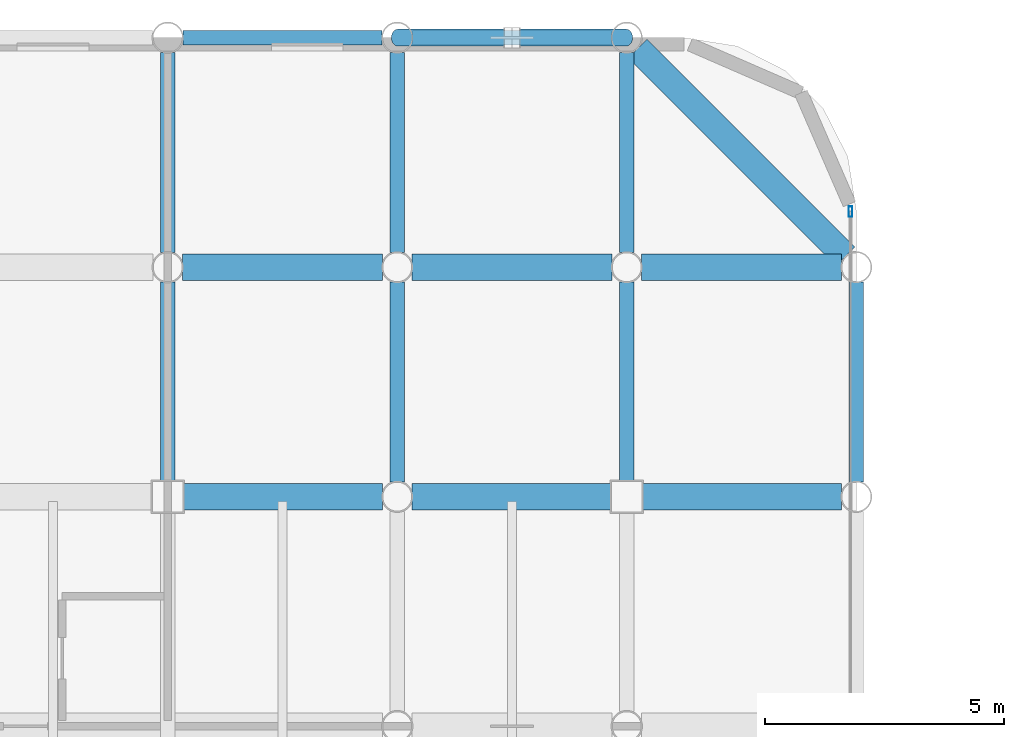
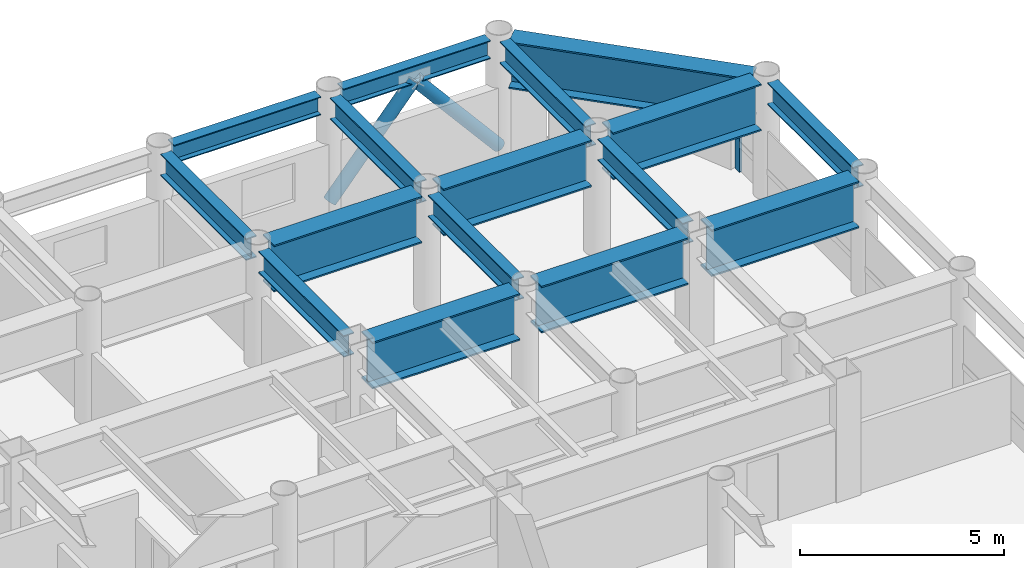
# One storey, part 14 of 23: 16 beams, 3 members, 1 element without a shape of its own.
"""IFC4 building model written with IfcOpenShell, lengths in metres."""

from ifc_helpers import new_model, si_unit, direction, frame, origin, origin_2d, place, context, subcontext, project, spatial, hollow_rectangle, hollow_circle, i_section, extrude, material, layer, layer_set, material_profile, profile_set, type_object, element, aggregate, save


model = new_model("IFC4")

# Units and contexts
model_context = context("Model", 3, precision=1e-05, world=origin(), true_north=direction((0.0, 1.0)))
body_context = subcontext(model_context, "Body", "Model", "MODEL_VIEW")
ifc_project = project(units=[si_unit("LENGTHUNIT", "METRE"), si_unit("AREAUNIT", "SQUARE_METRE"), si_unit("VOLUMEUNIT", "CUBIC_METRE"), si_unit("PLANEANGLEUNIT", "RADIAN"), si_unit("MASSUNIT", "GRAM", prefix="KILO")], contexts=[model_context])

# Site, building, storey
site_placement = place(None, origin())
site = spatial("IfcSite", under=ifc_project, at=site_placement, CompositionType="ELEMENT")
building_placement = place(site_placement, origin())
building = spatial("IfcBuilding", under=site, at=building_placement, Name="Kallvorn Hotel Tower", CompositionType="ELEMENT")
storey_placement = place(building_placement, frame((0.0, 0.0, 124.800048828125)))
storey = spatial("IfcBuildingStorey", under=building, at=storey_placement, Name="L30", CompositionType="ELEMENT", Elevation=124.800048828125)

# Beams
ifc_material_1 = material(Name="Structural steel S355JR", Category="steel")
ifc_material_profile_1 = material_profile(ifc_material_1, i_section(OverallWidth=0.300048828125, OverallDepth=0.550048828125, WebThickness=0.014892578125, FlangeThickness=0.029052734375, at=origin_2d()), Name="HE 550 B")
ifc_profile_set_1 = profile_set([ifc_material_profile_1], Name="Structural steel S355JR")
beam_type_1 = type_object("IfcBeamType", Name="BM_HE550B", PredefinedType="SPANDREL", material=ifc_profile_set_1)
for number, where, z_axis, x_axis, name in (
    (1, (14.719970703125, 24.0, 3.244873046875), (1.0, 0.0, 0.0), (0.0, 1.0, 0.0), "L31 Perimeter Spandrel 172"),
    (2, (19.52001953125, 24.0, 3.244873046875), (1.0, 0.0, 0.0), (0.0, 1.0, 0.0), "L31 Perimeter Spandrel 173"),
):
    element("IfcBeam", number, at=place(storey_placement, frame(where, z_axis=z_axis, x_axis=x_axis)), inside=storey, type_object=beam_type_1, Name=name, PredefinedType="SPANDREL", context=body_context, shape_type="SweptSolid", body=[
        extrude(i_section(OverallWidth=0.300048828125, OverallDepth=0.550048828125, WebThickness=0.014892578125, FlangeThickness=0.029052734375, at=origin_2d()), origin(), (0.0, 0.0, 1.0), 4.159912109375),
    ])
ifc_material_2 = material(Name="Structural steel S355JR", Category="steel")
ifc_material_profile_2 = material_profile(ifc_material_2, i_section(OverallWidth=0.300048828125, OverallDepth=0.64990234375, WebThickness=0.01611328125, FlangeThickness=0.031005859375, at=origin_2d()), Name="HE 650 B")
ifc_profile_set_2 = profile_set([ifc_material_profile_2], Name="Structural steel S355JR")
beam_type_2 = type_object("IfcBeamType", Name="BM_HE650B", PredefinedType="BEAM", material=ifc_profile_set_2)
beam_1_placement = place(storey_placement, frame((14.39990234375, 14.72509765625, 3.195068359375), z_axis=(0.0, 1.0, 0.0), x_axis=(-1.0, 0.0, 0.0)))
element("IfcBeam", 3, at=beam_1_placement, inside=storey, type_object=beam_type_2, Name="L31 Primary Y-Girder 125", PredefinedType="BEAM", context=body_context, shape_type="SweptSolid", body=[
    extrude(i_section(OverallWidth=0.300048828125, OverallDepth=0.64990234375, WebThickness=0.01611328125, FlangeThickness=0.031005859375, at=origin_2d()), origin(), (0.0, 0.0, 1.0), 4.169921875),
])
beam_2_placement = place(storey_placement, frame((14.39990234375, 19.5048828125, 3.195068359375), z_axis=(0.0, 1.0, 0.0), x_axis=(-1.0, 0.0, 0.0)))
element("IfcBeam", 4, at=beam_2_placement, inside=storey, type_object=beam_type_2, Name="L31 Primary Y-Girder 126", PredefinedType="BEAM", context=body_context, shape_type="SweptSolid", body=[
    extrude(i_section(OverallWidth=0.300048828125, OverallDepth=0.64990234375, WebThickness=0.01611328125, FlangeThickness=0.031005859375, at=origin_2d()), origin(), (0.0, 0.0, 1.0), 4.190185546875),
])
beam_3_placement = place(storey_placement, frame((19.199951171875, 14.705078125, 3.195068359375), z_axis=(0.0, 1.0, 0.0), x_axis=(-1.0, 0.0, 0.0)))
element("IfcBeam", 5, at=beam_3_placement, inside=storey, type_object=beam_type_2, Name="L31 Primary Y-Girder 134", PredefinedType="BEAM", context=body_context, shape_type="SweptSolid", body=[
    extrude(i_section(OverallWidth=0.300048828125, OverallDepth=0.64990234375, WebThickness=0.01611328125, FlangeThickness=0.031005859375, at=origin_2d()), origin(), (0.0, 0.0, 1.0), 4.18994140625),
])
beam_4_placement = place(storey_placement, frame((19.199951171875, 19.5048828125, 3.195068359375), z_axis=(0.0, 1.0, 0.0), x_axis=(-1.0, 0.0, 0.0)))
element("IfcBeam", 6, at=beam_4_placement, inside=storey, type_object=beam_type_2, Name="L31 Primary Y-Girder 135", PredefinedType="BEAM", context=body_context, shape_type="SweptSolid", body=[
    extrude(i_section(OverallWidth=0.300048828125, OverallDepth=0.64990234375, WebThickness=0.01611328125, FlangeThickness=0.031005859375, at=origin_2d()), origin(), (0.0, 0.0, 1.0), 4.190185546875),
])
beam_5_placement = place(storey_placement, frame((24.0, 14.72509765625, 3.195068359375), z_axis=(0.0, 1.0, 0.0), x_axis=(-1.0, 0.0, 0.0)))
element("IfcBeam", 7, at=beam_5_placement, inside=storey, type_object=beam_type_2, Name="L31 Primary Y-Girder 141", PredefinedType="BEAM", context=body_context, shape_type="SweptSolid", body=[
    extrude(i_section(OverallWidth=0.300048828125, OverallDepth=0.64990234375, WebThickness=0.01611328125, FlangeThickness=0.031005859375, at=origin_2d()), origin(), (0.0, 0.0, 1.0), 4.169921875),
])
beam_6_placement = place(storey_placement, frame((24.0, 19.5048828125, 3.195068359375), z_axis=(0.0, 1.0, 0.0), x_axis=(-1.0, 0.0, 0.0)))
element("IfcBeam", 8, at=beam_6_placement, inside=storey, type_object=beam_type_2, Name="L31 Primary Y-Girder 142", PredefinedType="BEAM", context=body_context, shape_type="SweptSolid", body=[
    extrude(i_section(OverallWidth=0.300048828125, OverallDepth=0.64990234375, WebThickness=0.01611328125, FlangeThickness=0.031005859375, at=origin_2d()), origin(), (0.0, 0.0, 1.0), 4.190185546875),
])
beam_7_placement = place(storey_placement, frame((28.800048828125, 14.705078125, 3.195068359375), z_axis=(0.0, 1.0, 0.0), x_axis=(-1.0, 0.0, 0.0)))
element("IfcBeam", 9, at=beam_7_placement, inside=storey, type_object=beam_type_2, Name="L31 Primary Y-Girder 150", PredefinedType="BEAM", context=body_context, shape_type="SweptSolid", body=[
    extrude(i_section(OverallWidth=0.300048828125, OverallDepth=0.64990234375, WebThickness=0.01611328125, FlangeThickness=0.031005859375, at=origin_2d()), origin(), (0.0, 0.0, 1.0), 4.18994140625),
])
ifc_material_3 = material(Name="Structural steel S355JR", Category="steel")
ifc_material_profile_3 = material_profile(ifc_material_3, i_section(OverallWidth=0.550048828125, OverallDepth=1.39990234375, WebThickness=0.02490234375, FlangeThickness=0.044921875, at=origin_2d()), Name="PG 1400x550x25x45")
ifc_profile_set_3 = profile_set([ifc_material_profile_3], Name="Structural steel S355JR")
beam_type_3 = type_object("IfcBeamType", Name="BM_PG_1400", PredefinedType="BEAM", material=ifc_profile_set_3)
beam_8_placement = place(storey_placement, frame((14.72509765625, 14.39990234375, 2.820068359375), z_axis=(1.0, 0.0, 0.0), x_axis=(0.0, 1.0, 0.0)))
element("IfcBeam", 10, at=beam_8_placement, inside=storey, type_object=beam_type_3, Name="L31 Primary X-Girder 57", PredefinedType="BEAM", context=body_context, shape_type="SweptSolid", body=[
    extrude(i_section(OverallWidth=0.550048828125, OverallDepth=1.39990234375, WebThickness=0.02490234375, FlangeThickness=0.044921875, at=origin_2d()), origin(), (0.0, 0.0, 1.0), 4.169921875),
])
for number, where, z_axis, x_axis, name in (
    (11, (19.5048828125, 14.39990234375, 2.820068359375), (1.0, 0.0, 0.0), (0.0, 1.0, 0.0), "L31 Primary X-Girder 58"),
    (12, (24.324951171875, 14.39990234375, 2.820068359375), (1.0, 0.0, 0.0), (0.0, 1.0, 0.0), "L31 Primary X-Girder 59"),
):
    element("IfcBeam", number, at=place(storey_placement, frame(where, z_axis=z_axis, x_axis=x_axis)), inside=storey, type_object=beam_type_3, Name=name, PredefinedType="BEAM", context=body_context, shape_type="SweptSolid", body=[
        extrude(i_section(OverallWidth=0.550048828125, OverallDepth=1.39990234375, WebThickness=0.02490234375, FlangeThickness=0.044921875, at=origin_2d()), origin(), (0.0, 0.0, 1.0), 4.170166015625),
    ])
beam_9_placement = place(storey_placement, frame((14.705078125, 19.199951171875, 2.820068359375), z_axis=(1.0, 0.0, 0.0), x_axis=(0.0, 1.0, 0.0)))
element("IfcBeam", 13, at=beam_9_placement, inside=storey, type_object=beam_type_3, Name="L31 Primary X-Girder 70", PredefinedType="BEAM", context=body_context, shape_type="SweptSolid", body=[
    extrude(i_section(OverallWidth=0.550048828125, OverallDepth=1.39990234375, WebThickness=0.02490234375, FlangeThickness=0.044921875, at=origin_2d()), origin(), (0.0, 0.0, 1.0), 4.18994140625),
])
for number, where, z_axis, x_axis, name in (
    (14, (19.5048828125, 19.199951171875, 2.820068359375), (1.0, 0.0, 0.0), (0.0, 1.0, 0.0), "L31 Primary X-Girder 71"),
    (15, (24.304931640625, 19.199951171875, 2.820068359375), (1.0, 0.0, 0.0), (0.0, 1.0, 0.0), "L31 Primary X-Girder 72"),
):
    element("IfcBeam", number, at=place(storey_placement, frame(where, z_axis=z_axis, x_axis=x_axis)), inside=storey, type_object=beam_type_3, Name=name, PredefinedType="BEAM", context=body_context, shape_type="SweptSolid", body=[
        extrude(i_section(OverallWidth=0.550048828125, OverallDepth=1.39990234375, WebThickness=0.02490234375, FlangeThickness=0.044921875, at=origin_2d()), origin(), (0.0, 0.0, 1.0), 4.190185546875),
    ])
beam_10_placement = place(storey_placement, frame((28.57373046875, 19.42626953125, 2.820068359375), z_axis=(-0.707106781187, 0.707106781187, 0.0), x_axis=(-0.707106781187, -0.707106781187, 0.0)))
element("IfcBeam", 16, at=beam_10_placement, inside=storey, type_object=beam_type_3, Name="L31 Rounded Corner Tie Beam 191", PredefinedType="BEAM", context=body_context, shape_type="SweptSolid", body=[
    extrude(i_section(OverallWidth=0.550048828125, OverallDepth=1.39990234375, WebThickness=0.02490234375, FlangeThickness=0.044921875, at=origin_2d()), origin(), (0.0, 0.0, 1.0), 6.148193359375),
])

# Curtain wall, member
ifc_material_4 = material(Name="Thermally broken black-anodised aluminium AA 6063-T6", Category="aluminium")
ifc_layer = layer(ifc_material_4, 0.2099609375)
ifc_layer_set = layer_set([ifc_layer], Name="CW_SYS_4_HOTEL_MID")
curtain_wall_type = type_object("IfcCurtainWallType", Name="CW_SYS_4_HOTEL_MID", PredefinedType="USERDEFINED", material=ifc_layer_set)
curtain_wall_placement = place(storey_placement, origin())
curtain_wall = element("IfcCurtainWall", 17, at=curtain_wall_placement, inside=storey, type_object=curtain_wall_type, Name="L30 Dark-Glass Curtain Wall CW-L30-EN", ObjectType="UNITISED CURTAIN WALL", PredefinedType="USERDEFINED")
ifc_material_5 = material(Name="Thermally broken black-anodised aluminium AA 6063-T6", Category="aluminium")
ifc_material_profile_4 = material_profile(ifc_material_5, hollow_rectangle(XDim=0.080078125, YDim=0.219970703125, WallThickness=0.0048828125, at=origin_2d()), Name="MUL 220x80")
ifc_profile_set_4 = profile_set([ifc_material_profile_4], Name="Thermally broken black-anodised aluminium AA 6063-T6")
member_type_1 = type_object("IfcMemberType", Name="CW_MULLION_220x80", PredefinedType="MULLION", material=ifc_profile_set_4)
member_placement = place(storey_placement, frame((28.679931640625, 20.360107421875, 0.02001953125), z_axis=(0.0, 0.0, 1.0), x_axis=(1.0, 0.0, 0.0)))
member = element("IfcMember", 18, at=member_placement, type_object=member_type_1, Name="CW-L30-EN Mullion 01", PredefinedType="MULLION", context=body_context, shape_type="SweptSolid", body=[
    extrude(hollow_rectangle(XDim=0.080078125, YDim=0.219970703125, WallThickness=0.0048828125, at=origin_2d()), origin(), (0.0, 0.0, 1.0), 2.079833984375),
])
aggregate(curtain_wall, [member])

# Members
ifc_material_6 = material(Name="Structural steel S355J2H", Category="steel")
ifc_material_profile_5 = material_profile(ifc_material_6, hollow_circle(Radius=0.177734375, WallThickness=0.01416015625, at=origin_2d()), Name="CHS 355.6x14.2")
ifc_profile_set_5 = profile_set([ifc_material_profile_5], Name="Structural steel S355J2H")
member_type_2 = type_object("IfcMemberType", Name="MBR_EXO_CHS355", PredefinedType="BRACE", material=ifc_profile_set_5)
for number, where, z_axis, x_axis, name in (
    (19, (19.212890625, 24.0, 0.1953125), (0.646833296797, 0.0, 0.762631422218), (0.0, 1.0, 0.0), "L30 Exoskeleton K-Brace N2A"),
    (20, (23.987060546875, 24.0, 0.1953125), (-0.646833296797, 0.0, 0.762631422218), (0.0, -1.0, 0.0), "L30 Exoskeleton K-Brace N2B"),
):
    element("IfcMember", number, at=place(storey_placement, frame(where, z_axis=z_axis, x_axis=x_axis)), inside=storey, type_object=member_type_2, Name=name, PredefinedType="BRACE", context=body_context, shape_type="SweptSolid", body=[
        extrude(hollow_circle(Radius=0.177734375, WallThickness=0.01416015625, at=origin_2d()), origin(), (0.0, 0.0, 1.0), 3.670654296875),
    ])

save(model, "model.ifc")
